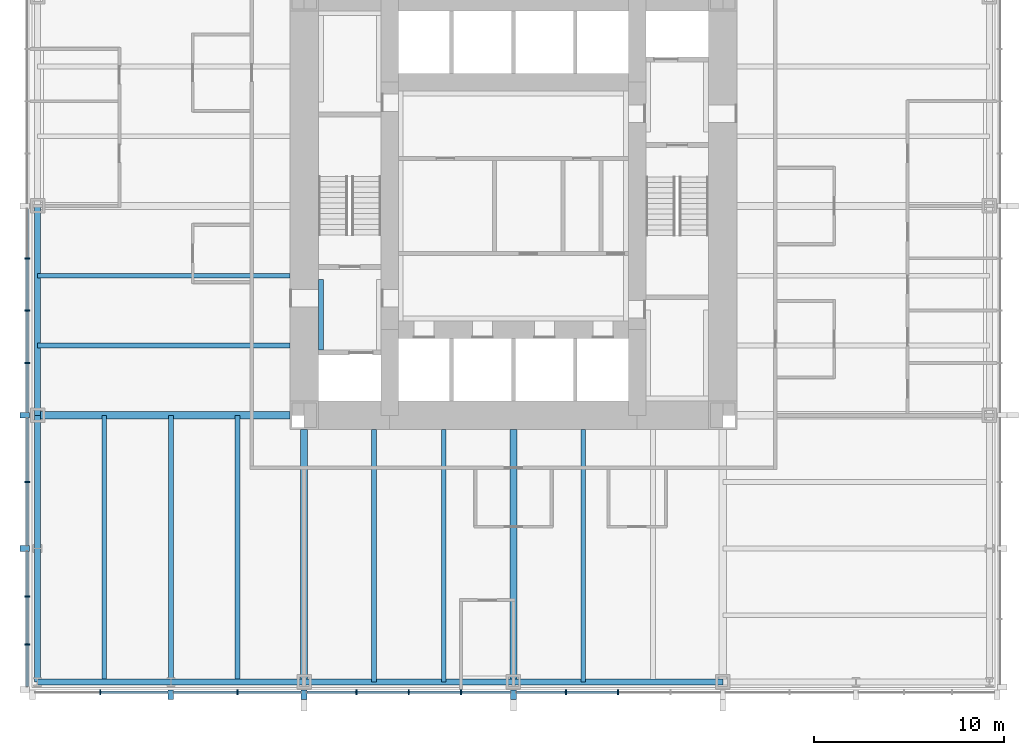
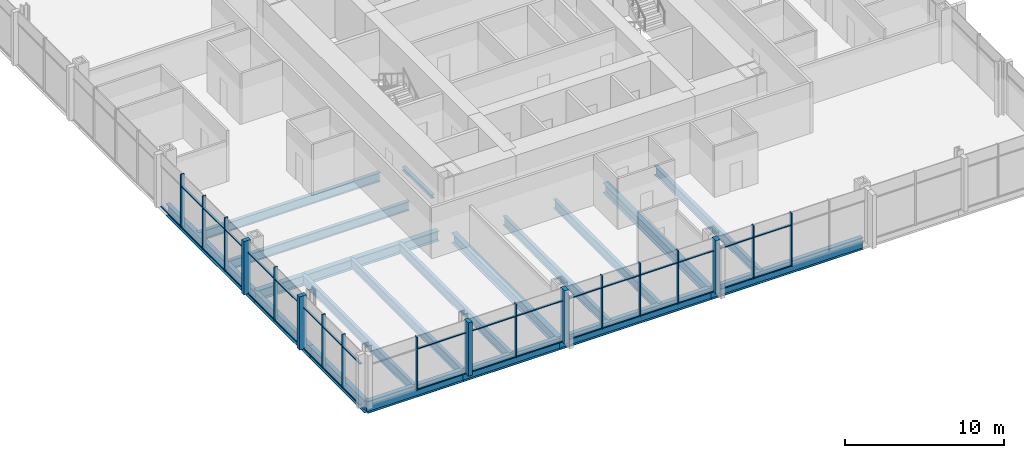
# One storey, part 2 of 12: 53 members, 19 beams, 2 elements without a shape of their own.
"""IFC4 building model written with IfcOpenShell, lengths in metres."""

from ifc_helpers import new_model, si_unit, direction, frame, origin, origin_2d, place, context, subcontext, project, spatial, rectangle, i_section, extrude, material, material_profile, profile_set, type_object, element, aggregate, save


model = new_model("IFC4")

# Units and contexts
model_context = context("Model", 3, precision=1e-05, world=origin(), true_north=direction((0.0, 1.0)))
body_context = subcontext(model_context, "Body", "Model", "MODEL_VIEW")
ifc_project = project(units=[si_unit("LENGTHUNIT", "METRE"), si_unit("AREAUNIT", "SQUARE_METRE"), si_unit("VOLUMEUNIT", "CUBIC_METRE"), si_unit("PLANEANGLEUNIT", "RADIAN"), si_unit("MASSUNIT", "GRAM", prefix="KILO")], contexts=[model_context])

# Site, building, storey
site_placement = place(None, origin())
site = spatial("IfcSite", under=ifc_project, at=site_placement, CompositionType="ELEMENT")
building_placement = place(site_placement, origin())
building = spatial("IfcBuilding", under=site, at=building_placement, Name="Trevanion Tower", CompositionType="ELEMENT")
storey_placement = place(building_placement, frame((0.0, 0.0, 32.39990234375)))
storey = spatial("IfcBuildingStorey", under=building, at=storey_placement, Name="L07", CompositionType="ELEMENT", Elevation=32.39990234375)

# Beams
ifc_material_1 = material(Name="Steel ASTM A992 Grade 50", Category="steel")
ifc_material_profile_1 = material_profile(ifc_material_1, i_section(OverallWidth=0.25390625, OverallDepth=0.700927734375, WebThickness=0.015380859375, FlangeThickness=0.02783203125, at=origin_2d()), Name="W27X129")
ifc_profile_set_1 = profile_set([ifc_material_profile_1], Name="Steel ASTM A992 Grade 50")
beam_type_1 = type_object("IfcBeamType", Name="B3 W27X129", PredefinedType="BEAM", material=ifc_profile_set_1)
for number, where, z_axis, x_axis, name in (
    (1, (-11.75, -3.666748046875, -0.540283203125), (-1.0, 0.0, 0.0), (0.0, -1.0, 0.0), "B3 L07"),
    (2, (-11.75, -7.333251953125, -0.540283203125), (-1.0, 0.0, 0.0), (0.0, -1.0, 0.0), "B3 L07"),
    (3, (-7.333251953125, -11.75, -0.540283203125), (0.0, -1.0, 0.0), (1.0, 0.0, 0.0), "B3 L07"),
    (4, (-3.666748046875, -11.75, -0.540283203125), (0.0, -1.0, 0.0), (1.0, 0.0, 0.0), "B3 L07"),
    (5, (3.666748046875, -11.75, -0.540283203125), (0.0, -1.0, 0.0), (1.0, 0.0, 0.0), "B3 L07"),
):
    element("IfcBeam", number, at=place(storey_placement, frame(where, z_axis=z_axis, x_axis=x_axis)), inside=storey, type_object=beam_type_1, Name=name, PredefinedType="BEAM", context=body_context, shape_type="SweptSolid", body=[
        extrude(i_section(OverallWidth=0.25390625, OverallDepth=0.700927734375, WebThickness=0.015380859375, FlangeThickness=0.02783203125, at=origin_2d()), origin(), (0.0, 0.0, 1.0), 13.25),
    ])
ifc_material_2 = material(Name="Steel ASTM A992 Grade 50", Category="steel")
ifc_material_profile_2 = material_profile(ifc_material_2, i_section(OverallWidth=0.256591796875, OverallDepth=0.693359375, WebThickness=0.014404296875, FlangeThickness=0.023681640625, at=origin_2d()), Name="W27X114")
ifc_profile_set_2 = profile_set([ifc_material_profile_2], Name="Steel ASTM A992 Grade 50")
beam_type_2 = type_object("IfcBeamType", Name="B4 W27X114", PredefinedType="BEAM", material=ifc_profile_set_2)
for number, where, z_axis, x_axis, name in (
    (6, (-14.5, -11.0, -0.53662109375), (0.0, -1.0, 0.0), (1.0, 0.0, 0.0), "B4 L07"),
    (7, (-18.0, -11.0, -0.53662109375), (0.0, -1.0, 0.0), (1.0, 0.0, 0.0), "B4 L07"),
    (8, (-21.5, -11.0, -0.53662109375), (0.0, -1.0, 0.0), (1.0, 0.0, 0.0), "B4 L07"),
):
    element("IfcBeam", number, at=place(storey_placement, frame(where, z_axis=z_axis, x_axis=x_axis)), inside=storey, type_object=beam_type_2, Name=name, PredefinedType="BEAM", context=body_context, shape_type="SweptSolid", body=[
        extrude(i_section(OverallWidth=0.256591796875, OverallDepth=0.693359375, WebThickness=0.014404296875, FlangeThickness=0.023681640625, at=origin_2d()), origin(), (0.0, 0.0, 1.0), 14.0),
    ])

# Curtain wall, members
ifc_material_3 = material(Name="Aluminium and glass", Category="aluminium")
curtain_wall_type = type_object("IfcCurtainWallType", Name="CW1 curtain wall", PredefinedType="USERDEFINED", material=ifc_material_3)
curtain_wall_1_placement = place(storey_placement, origin())
curtain_wall_1 = element("IfcCurtainWall", 9, at=curtain_wall_1_placement, inside=storey, type_object=curtain_wall_type, Name="CW1 L07 2", ObjectType="UNITISED CURTAIN WALL", PredefinedType="USERDEFINED")
ifc_material_4 = material(Name="Aluminium extrusion, anodised bronze", Category="aluminium")
ifc_material_profile_3 = material_profile(ifc_material_4, rectangle(XDim=0.074951171875, YDim=0.25, at=origin_2d()), Name="CW1 mullion")
ifc_profile_set_3 = profile_set([ifc_material_profile_3], Name="Aluminium extrusion, anodised bronze")
member_type_1 = type_object("IfcMemberType", Name="CW1 mullion", PredefinedType="MULLION", material=ifc_profile_set_3)
member_1_placement = place(storey_placement, frame((-25.550048828125, -2.75, -0.18994140625), z_axis=(0.0, 0.0, 1.0), x_axis=(0.0, -1.0, 0.0)))
member_1 = element("IfcMember", 10, at=member_1_placement, type_object=member_type_1, Name="CW1 mullion 10", PredefinedType="MULLION", context=body_context, shape_type="SweptSolid", body=[
    extrude(rectangle(XDim=0.074951171875, YDim=0.25, at=origin_2d()), origin(), (0.0, 0.0, 1.0), 4.10009765625),
])
member_2_placement = place(storey_placement, frame((-25.550048828125, -5.5, -0.18994140625), z_axis=(0.0, 0.0, 1.0), x_axis=(0.0, -1.0, 0.0)))
member_2 = element("IfcMember", 11, at=member_2_placement, type_object=member_type_1, Name="CW1 mullion 11", PredefinedType="MULLION", context=body_context, shape_type="SweptSolid", body=[
    extrude(rectangle(XDim=0.074951171875, YDim=0.25, at=origin_2d()), origin(), (0.0, 0.0, 1.0), 4.10009765625),
])
member_3_placement = place(storey_placement, frame((-25.550048828125, -8.25, -0.18994140625), z_axis=(0.0, 0.0, 1.0), x_axis=(0.0, -1.0, 0.0)))
member_3 = element("IfcMember", 12, at=member_3_placement, type_object=member_type_1, Name="CW1 mullion 12", PredefinedType="MULLION", context=body_context, shape_type="SweptSolid", body=[
    extrude(rectangle(XDim=0.074951171875, YDim=0.25, at=origin_2d()), origin(), (0.0, 0.0, 1.0), 4.10009765625),
])
member_4_placement = place(storey_placement, frame((-25.550048828125, -14.5, -0.18994140625), z_axis=(0.0, 0.0, 1.0), x_axis=(0.0, -1.0, 0.0)))
member_4 = element("IfcMember", 13, at=member_4_placement, type_object=member_type_1, Name="CW1 mullion 14", PredefinedType="MULLION", context=body_context, shape_type="SweptSolid", body=[
    extrude(rectangle(XDim=0.074951171875, YDim=0.25, at=origin_2d()), origin(), (0.0, 0.0, 1.0), 4.10009765625),
])
member_5_placement = place(storey_placement, frame((-25.550048828125, -20.5166015625, -0.18994140625), z_axis=(0.0, 0.0, 1.0), x_axis=(0.0, -1.0, 0.0)))
member_5 = element("IfcMember", 14, at=member_5_placement, type_object=member_type_1, Name="CW1 mullion 16", PredefinedType="MULLION", context=body_context, shape_type="SweptSolid", body=[
    extrude(rectangle(XDim=0.074951171875, YDim=0.25, at=origin_2d()), origin(), (0.0, 0.0, 1.0), 4.10009765625),
])
member_6_placement = place(storey_placement, frame((-25.550048828125, -23.033203125, -0.18994140625), z_axis=(0.0, 0.0, 1.0), x_axis=(0.0, -1.0, 0.0)))
member_6 = element("IfcMember", 15, at=member_6_placement, type_object=member_type_1, Name="CW1 mullion 17", PredefinedType="MULLION", context=body_context, shape_type="SweptSolid", body=[
    extrude(rectangle(XDim=0.074951171875, YDim=0.25, at=origin_2d()), origin(), (0.0, 0.0, 1.0), 4.10009765625),
])

curtain_wall_2_placement = place(storey_placement, origin())
curtain_wall_2 = element("IfcCurtainWall", 16, at=curtain_wall_2_placement, inside=storey, type_object=curtain_wall_type, Name="CW1 L07 3", ObjectType="UNITISED CURTAIN WALL", PredefinedType="USERDEFINED")
member_7_placement = place(storey_placement, frame((-21.7099609375, -25.550048828125, -0.18994140625), z_axis=(0.0, 0.0, 1.0), x_axis=(1.0, 0.0, 0.0)))
member_7 = element("IfcMember", 17, at=member_7_placement, type_object=member_type_1, Name="CW1 mullion 2", PredefinedType="MULLION", context=body_context, shape_type="SweptSolid", body=[
    extrude(rectangle(XDim=0.074951171875, YDim=0.25, at=origin_2d()), origin(), (0.0, 0.0, 1.0), 4.10009765625),
])
member_8_placement = place(storey_placement, frame((-14.5, -25.550048828125, -0.18994140625), z_axis=(0.0, 0.0, 1.0), x_axis=(1.0, 0.0, 0.0)))
member_8 = element("IfcMember", 18, at=member_8_placement, type_object=member_type_1, Name="CW1 mullion 4", PredefinedType="MULLION", context=body_context, shape_type="SweptSolid", body=[
    extrude(rectangle(XDim=0.074951171875, YDim=0.25, at=origin_2d()), origin(), (0.0, 0.0, 1.0), 4.10009765625),
])
member_9_placement = place(storey_placement, frame((-8.25, -25.550048828125, -0.18994140625), z_axis=(0.0, 0.0, 1.0), x_axis=(1.0, 0.0, 0.0)))
member_9 = element("IfcMember", 19, at=member_9_placement, type_object=member_type_1, Name="CW1 mullion 6", PredefinedType="MULLION", context=body_context, shape_type="SweptSolid", body=[
    extrude(rectangle(XDim=0.074951171875, YDim=0.25, at=origin_2d()), origin(), (0.0, 0.0, 1.0), 4.10009765625),
])
member_10_placement = place(storey_placement, frame((-5.5, -25.550048828125, -0.18994140625), z_axis=(0.0, 0.0, 1.0), x_axis=(1.0, 0.0, 0.0)))
member_10 = element("IfcMember", 20, at=member_10_placement, type_object=member_type_1, Name="CW1 mullion 7", PredefinedType="MULLION", context=body_context, shape_type="SweptSolid", body=[
    extrude(rectangle(XDim=0.074951171875, YDim=0.25, at=origin_2d()), origin(), (0.0, 0.0, 1.0), 4.10009765625),
])
member_11_placement = place(storey_placement, frame((-2.75, -25.550048828125, -0.18994140625), z_axis=(0.0, 0.0, 1.0), x_axis=(1.0, 0.0, 0.0)))
member_11 = element("IfcMember", 21, at=member_11_placement, type_object=member_type_1, Name="CW1 mullion 8", PredefinedType="MULLION", context=body_context, shape_type="SweptSolid", body=[
    extrude(rectangle(XDim=0.074951171875, YDim=0.25, at=origin_2d()), origin(), (0.0, 0.0, 1.0), 4.10009765625),
])
member_12_placement = place(storey_placement, frame((2.75, -25.550048828125, -0.18994140625), z_axis=(0.0, 0.0, 1.0), x_axis=(1.0, 0.0, 0.0)))
member_12 = element("IfcMember", 22, at=member_12_placement, type_object=member_type_1, Name="CW1 mullion 10", PredefinedType="MULLION", context=body_context, shape_type="SweptSolid", body=[
    extrude(rectangle(XDim=0.074951171875, YDim=0.25, at=origin_2d()), origin(), (0.0, 0.0, 1.0), 4.10009765625),
])
member_13_placement = place(storey_placement, frame((5.5, -25.550048828125, -0.18994140625), z_axis=(0.0, 0.0, 1.0), x_axis=(1.0, 0.0, 0.0)))
member_13 = element("IfcMember", 23, at=member_13_placement, type_object=member_type_1, Name="CW1 mullion 11", PredefinedType="MULLION", context=body_context, shape_type="SweptSolid", body=[
    extrude(rectangle(XDim=0.074951171875, YDim=0.25, at=origin_2d()), origin(), (0.0, 0.0, 1.0), 4.10009765625),
])

# Member
ifc_material_5 = material(Name="Aluminium extrusion, anodised bronze", Category="aluminium")
ifc_material_profile_4 = material_profile(ifc_material_5, rectangle(XDim=0.300048828125, YDim=0.5, at=origin_2d()), Name="CW1 pier mullion")
ifc_profile_set_4 = profile_set([ifc_material_profile_4], Name="Aluminium extrusion, anodised bronze")
member_type_2 = type_object("IfcMemberType", Name="CW1 pier mullion", PredefinedType="MULLION", material=ifc_profile_set_4)
member_14_placement = place(storey_placement, frame((-25.675048828125, -11.0, -0.18994140625), z_axis=(0.0, 0.0, 1.0), x_axis=(0.0, -1.0, 0.0)))
member_14 = element("IfcMember", 24, at=member_14_placement, type_object=member_type_2, Name="CW1 pier mullion 13", PredefinedType="MULLION", context=body_context, shape_type="SweptSolid", body=[
    extrude(rectangle(XDim=0.300048828125, YDim=0.5, at=origin_2d()), origin(), (0.0, 0.0, 1.0), 4.10009765625),
])

member_15_placement = place(storey_placement, frame((-25.675048828125, -18.0, -0.18994140625), z_axis=(0.0, 0.0, 1.0), x_axis=(0.0, -1.0, 0.0)))
member_15 = element("IfcMember", 25, at=member_15_placement, type_object=member_type_2, Name="CW1 pier mullion 15", PredefinedType="MULLION", context=body_context, shape_type="SweptSolid", body=[
    extrude(rectangle(XDim=0.300048828125, YDim=0.5, at=origin_2d()), origin(), (0.0, 0.0, 1.0), 4.10009765625),
])

member_16_placement = place(storey_placement, frame((-18.0, -25.675048828125, -0.18994140625), z_axis=(0.0, 0.0, 1.0), x_axis=(1.0, 0.0, 0.0)))
member_16 = element("IfcMember", 26, at=member_16_placement, type_object=member_type_2, Name="CW1 pier mullion 3", PredefinedType="MULLION", context=body_context, shape_type="SweptSolid", body=[
    extrude(rectangle(XDim=0.300048828125, YDim=0.5, at=origin_2d()), origin(), (0.0, 0.0, 1.0), 4.10009765625),
])

member_17_placement = place(storey_placement, frame((-11.0, -25.675048828125, -0.18994140625), z_axis=(0.0, 0.0, 1.0), x_axis=(1.0, 0.0, 0.0)))
member_17 = element("IfcMember", 27, at=member_17_placement, type_object=member_type_2, Name="CW1 pier mullion 5", PredefinedType="MULLION", context=body_context, shape_type="SweptSolid", body=[
    extrude(rectangle(XDim=0.300048828125, YDim=0.5, at=origin_2d()), origin(), (0.0, 0.0, 1.0), 4.10009765625),
])

member_18_placement = place(storey_placement, frame((0.0, -25.675048828125, -0.18994140625), z_axis=(0.0, 0.0, 1.0), x_axis=(1.0, 0.0, 0.0)))
member_18 = element("IfcMember", 28, at=member_18_placement, type_object=member_type_2, Name="CW1 pier mullion 9", PredefinedType="MULLION", context=body_context, shape_type="SweptSolid", body=[
    extrude(rectangle(XDim=0.300048828125, YDim=0.5, at=origin_2d()), origin(), (0.0, 0.0, 1.0), 4.10009765625),
])

ifc_material_6 = material(Name="Aluminium extrusion, anodised bronze", Category="aluminium")
ifc_material_profile_5 = material_profile(ifc_material_6, rectangle(XDim=0.14990234375, YDim=0.074951171875, at=origin_2d()), Name="CW1 transom")
ifc_profile_set_5 = profile_set([ifc_material_profile_5], Name="Aluminium extrusion, anodised bronze")
member_type_3 = type_object("IfcMemberType", Name="CW1 transom", PredefinedType="USERDEFINED", material=ifc_profile_set_5)
member_19_placement = place(storey_placement, frame((-25.550048828125, -0.14990234375, -0.15234375), z_axis=(0.0, -1.0, 0.0), x_axis=(1.0, 0.0, 0.0)))
member_19 = element("IfcMember", 29, at=member_19_placement, type_object=member_type_3, Name="CW1 transom 9.1", ObjectType="TRANSOM", PredefinedType="USERDEFINED", context=body_context, shape_type="SweptSolid", body=[
    extrude(rectangle(XDim=0.14990234375, YDim=0.074951171875, at=origin_2d()), origin(), (0.0, 0.0, 1.0), 2.5625),
])

member_20_placement = place(storey_placement, frame((-25.550048828125, -2.78759765625, -0.15234375), z_axis=(0.0, -1.0, 0.0), x_axis=(1.0, 0.0, 0.0)))
member_20 = element("IfcMember", 30, at=member_20_placement, type_object=member_type_3, Name="CW1 transom 10.1", ObjectType="TRANSOM", PredefinedType="USERDEFINED", context=body_context, shape_type="SweptSolid", body=[
    extrude(rectangle(XDim=0.14990234375, YDim=0.074951171875, at=origin_2d()), origin(), (0.0, 0.0, 1.0), 2.6748046875),
])

member_21_placement = place(storey_placement, frame((-25.550048828125, -2.78759765625, 2.960205078125), z_axis=(0.0, -1.0, 0.0), x_axis=(1.0, 0.0, 0.0)))
member_21 = element("IfcMember", 31, at=member_21_placement, type_object=member_type_3, Name="CW1 transom 10.2", ObjectType="TRANSOM", PredefinedType="USERDEFINED", context=body_context, shape_type="SweptSolid", body=[
    extrude(rectangle(XDim=0.14990234375, YDim=0.074951171875, at=origin_2d()), origin(), (0.0, 0.0, 1.0), 2.6748046875),
])

member_22_placement = place(storey_placement, frame((-25.550048828125, -5.53759765625, -0.15234375), z_axis=(0.0, -1.0, 0.0), x_axis=(1.0, 0.0, 0.0)))
member_22 = element("IfcMember", 32, at=member_22_placement, type_object=member_type_3, Name="CW1 transom 11.1", ObjectType="TRANSOM", PredefinedType="USERDEFINED", context=body_context, shape_type="SweptSolid", body=[
    extrude(rectangle(XDim=0.14990234375, YDim=0.074951171875, at=origin_2d()), origin(), (0.0, 0.0, 1.0), 2.6748046875),
])

member_23_placement = place(storey_placement, frame((-25.550048828125, -5.53759765625, 2.960205078125), z_axis=(0.0, -1.0, 0.0), x_axis=(1.0, 0.0, 0.0)))
member_23 = element("IfcMember", 33, at=member_23_placement, type_object=member_type_3, Name="CW1 transom 11.2", ObjectType="TRANSOM", PredefinedType="USERDEFINED", context=body_context, shape_type="SweptSolid", body=[
    extrude(rectangle(XDim=0.14990234375, YDim=0.074951171875, at=origin_2d()), origin(), (0.0, 0.0, 1.0), 2.6748046875),
])

member_24_placement = place(storey_placement, frame((-25.550048828125, -8.28759765625, -0.15234375), z_axis=(0.0, -1.0, 0.0), x_axis=(1.0, 0.0, 0.0)))
member_24 = element("IfcMember", 34, at=member_24_placement, type_object=member_type_3, Name="CW1 transom 12.1", ObjectType="TRANSOM", PredefinedType="USERDEFINED", context=body_context, shape_type="SweptSolid", body=[
    extrude(rectangle(XDim=0.14990234375, YDim=0.074951171875, at=origin_2d()), origin(), (0.0, 0.0, 1.0), 2.5625),
])

member_25_placement = place(storey_placement, frame((-25.550048828125, -8.28759765625, 2.960205078125), z_axis=(0.0, -1.0, 0.0), x_axis=(1.0, 0.0, 0.0)))
member_25 = element("IfcMember", 35, at=member_25_placement, type_object=member_type_3, Name="CW1 transom 12.2", ObjectType="TRANSOM", PredefinedType="USERDEFINED", context=body_context, shape_type="SweptSolid", body=[
    extrude(rectangle(XDim=0.14990234375, YDim=0.074951171875, at=origin_2d()), origin(), (0.0, 0.0, 1.0), 2.5625),
])

member_26_placement = place(storey_placement, frame((-25.550048828125, -11.14990234375, -0.15234375), z_axis=(0.0, -1.0, 0.0), x_axis=(1.0, 0.0, 0.0)))
member_26 = element("IfcMember", 36, at=member_26_placement, type_object=member_type_3, Name="CW1 transom 13.1", ObjectType="TRANSOM", PredefinedType="USERDEFINED", context=body_context, shape_type="SweptSolid", body=[
    extrude(rectangle(XDim=0.14990234375, YDim=0.074951171875, at=origin_2d()), origin(), (0.0, 0.0, 1.0), 3.3125),
])

member_27_placement = place(storey_placement, frame((-25.550048828125, -11.14990234375, 2.960205078125), z_axis=(0.0, -1.0, 0.0), x_axis=(1.0, 0.0, 0.0)))
member_27 = element("IfcMember", 37, at=member_27_placement, type_object=member_type_3, Name="CW1 transom 13.2", ObjectType="TRANSOM", PredefinedType="USERDEFINED", context=body_context, shape_type="SweptSolid", body=[
    extrude(rectangle(XDim=0.14990234375, YDim=0.074951171875, at=origin_2d()), origin(), (0.0, 0.0, 1.0), 3.3125),
])

member_28_placement = place(storey_placement, frame((-25.550048828125, -14.53759765625, -0.15234375), z_axis=(0.0, -1.0, 0.0), x_axis=(1.0, 0.0, 0.0)))
member_28 = element("IfcMember", 38, at=member_28_placement, type_object=member_type_3, Name="CW1 transom 14.1", ObjectType="TRANSOM", PredefinedType="USERDEFINED", context=body_context, shape_type="SweptSolid", body=[
    extrude(rectangle(XDim=0.14990234375, YDim=0.074951171875, at=origin_2d()), origin(), (0.0, 0.0, 1.0), 3.3125),
])

member_29_placement = place(storey_placement, frame((-25.550048828125, -14.53759765625, 2.960205078125), z_axis=(0.0, -1.0, 0.0), x_axis=(1.0, 0.0, 0.0)))
member_29 = element("IfcMember", 39, at=member_29_placement, type_object=member_type_3, Name="CW1 transom 14.2", ObjectType="TRANSOM", PredefinedType="USERDEFINED", context=body_context, shape_type="SweptSolid", body=[
    extrude(rectangle(XDim=0.14990234375, YDim=0.074951171875, at=origin_2d()), origin(), (0.0, 0.0, 1.0), 3.3125),
])

member_30_placement = place(storey_placement, frame((-25.550048828125, -18.14990234375, -0.15234375), z_axis=(0.0, -1.0, 0.0), x_axis=(1.0, 0.0, 0.0)))
member_30 = element("IfcMember", 40, at=member_30_placement, type_object=member_type_3, Name="CW1 transom 15.1", ObjectType="TRANSOM", PredefinedType="USERDEFINED", context=body_context, shape_type="SweptSolid", body=[
    extrude(rectangle(XDim=0.14990234375, YDim=0.074951171875, at=origin_2d()), origin(), (0.0, 0.0, 1.0), 2.329345703125),
])

member_31_placement = place(storey_placement, frame((-25.550048828125, -18.14990234375, 2.960205078125), z_axis=(0.0, -1.0, 0.0), x_axis=(1.0, 0.0, 0.0)))
member_31 = element("IfcMember", 41, at=member_31_placement, type_object=member_type_3, Name="CW1 transom 15.2", ObjectType="TRANSOM", PredefinedType="USERDEFINED", context=body_context, shape_type="SweptSolid", body=[
    extrude(rectangle(XDim=0.14990234375, YDim=0.074951171875, at=origin_2d()), origin(), (0.0, 0.0, 1.0), 2.329345703125),
])

member_32_placement = place(storey_placement, frame((-25.550048828125, -20.55419921875, -0.15234375), z_axis=(0.0, -1.0, 0.0), x_axis=(1.0, 0.0, 0.0)))
member_32 = element("IfcMember", 42, at=member_32_placement, type_object=member_type_3, Name="CW1 transom 16.1", ObjectType="TRANSOM", PredefinedType="USERDEFINED", context=body_context, shape_type="SweptSolid", body=[
    extrude(rectangle(XDim=0.14990234375, YDim=0.074951171875, at=origin_2d()), origin(), (0.0, 0.0, 1.0), 2.441650390625),
])

member_33_placement = place(storey_placement, frame((-25.550048828125, -20.55419921875, 2.960205078125), z_axis=(0.0, -1.0, 0.0), x_axis=(1.0, 0.0, 0.0)))
member_33 = element("IfcMember", 43, at=member_33_placement, type_object=member_type_3, Name="CW1 transom 16.2", ObjectType="TRANSOM", PredefinedType="USERDEFINED", context=body_context, shape_type="SweptSolid", body=[
    extrude(rectangle(XDim=0.14990234375, YDim=0.074951171875, at=origin_2d()), origin(), (0.0, 0.0, 1.0), 2.441650390625),
])

member_34_placement = place(storey_placement, frame((-25.550048828125, -23.07080078125, -0.15234375), z_axis=(0.0, -1.0, 0.0), x_axis=(1.0, 0.0, 0.0)))
member_34 = element("IfcMember", 44, at=member_34_placement, type_object=member_type_3, Name="CW1 transom 17.1", ObjectType="TRANSOM", PredefinedType="USERDEFINED", context=body_context, shape_type="SweptSolid", body=[
    extrude(rectangle(XDim=0.14990234375, YDim=0.074951171875, at=origin_2d()), origin(), (0.0, 0.0, 1.0), 2.17919921875),
])

member_35_placement = place(storey_placement, frame((-25.550048828125, -23.07080078125, 2.960205078125), z_axis=(0.0, -1.0, 0.0), x_axis=(1.0, 0.0, 0.0)))
member_35 = element("IfcMember", 45, at=member_35_placement, type_object=member_type_3, Name="CW1 transom 17.2", ObjectType="TRANSOM", PredefinedType="USERDEFINED", context=body_context, shape_type="SweptSolid", body=[
    extrude(rectangle(XDim=0.14990234375, YDim=0.074951171875, at=origin_2d()), origin(), (0.0, 0.0, 1.0), 2.17919921875),
])

aggregate(curtain_wall_1, [member_1, member_2, member_3, member_14, member_4, member_15, member_5, member_6, member_19, member_20, member_21, member_22, member_23, member_24, member_25, member_26, member_27, member_28, member_29, member_30, member_31, member_32, member_33, member_34, member_35])

member_36_placement = place(storey_placement, frame((-21.672607421875, -25.550048828125, -0.15234375), z_axis=(1.0, 0.0, 0.0), x_axis=(0.0, 1.0, 0.0)))
member_36 = element("IfcMember", 46, at=member_36_placement, type_object=member_type_3, Name="CW1 transom 2.1", ObjectType="TRANSOM", PredefinedType="USERDEFINED", context=body_context, shape_type="SweptSolid", body=[
    extrude(rectangle(XDim=0.14990234375, YDim=0.074951171875, at=origin_2d()), origin(), (0.0, 0.0, 1.0), 3.522705078125),
])

member_37_placement = place(storey_placement, frame((-21.672607421875, -25.550048828125, 2.960205078125), z_axis=(1.0, 0.0, 0.0), x_axis=(0.0, 1.0, 0.0)))
member_37 = element("IfcMember", 47, at=member_37_placement, type_object=member_type_3, Name="CW1 transom 2.2", ObjectType="TRANSOM", PredefinedType="USERDEFINED", context=body_context, shape_type="SweptSolid", body=[
    extrude(rectangle(XDim=0.14990234375, YDim=0.074951171875, at=origin_2d()), origin(), (0.0, 0.0, 1.0), 3.522705078125),
])

member_38_placement = place(storey_placement, frame((-17.85009765625, -25.550048828125, -0.15234375), z_axis=(1.0, 0.0, 0.0), x_axis=(0.0, 1.0, 0.0)))
member_38 = element("IfcMember", 48, at=member_38_placement, type_object=member_type_3, Name="CW1 transom 3.1", ObjectType="TRANSOM", PredefinedType="USERDEFINED", context=body_context, shape_type="SweptSolid", body=[
    extrude(rectangle(XDim=0.14990234375, YDim=0.074951171875, at=origin_2d()), origin(), (0.0, 0.0, 1.0), 3.3125),
])

member_39_placement = place(storey_placement, frame((-17.85009765625, -25.550048828125, 2.960205078125), z_axis=(1.0, 0.0, 0.0), x_axis=(0.0, 1.0, 0.0)))
member_39 = element("IfcMember", 49, at=member_39_placement, type_object=member_type_3, Name="CW1 transom 3.2", ObjectType="TRANSOM", PredefinedType="USERDEFINED", context=body_context, shape_type="SweptSolid", body=[
    extrude(rectangle(XDim=0.14990234375, YDim=0.074951171875, at=origin_2d()), origin(), (0.0, 0.0, 1.0), 3.3125),
])

member_40_placement = place(storey_placement, frame((-14.46240234375, -25.550048828125, -0.15234375), z_axis=(1.0, 0.0, 0.0), x_axis=(0.0, 1.0, 0.0)))
member_40 = element("IfcMember", 50, at=member_40_placement, type_object=member_type_3, Name="CW1 transom 4.1", ObjectType="TRANSOM", PredefinedType="USERDEFINED", context=body_context, shape_type="SweptSolid", body=[
    extrude(rectangle(XDim=0.14990234375, YDim=0.074951171875, at=origin_2d()), origin(), (0.0, 0.0, 1.0), 3.3125),
])

member_41_placement = place(storey_placement, frame((-14.46240234375, -25.550048828125, 2.960205078125), z_axis=(1.0, 0.0, 0.0), x_axis=(0.0, 1.0, 0.0)))
member_41 = element("IfcMember", 51, at=member_41_placement, type_object=member_type_3, Name="CW1 transom 4.2", ObjectType="TRANSOM", PredefinedType="USERDEFINED", context=body_context, shape_type="SweptSolid", body=[
    extrude(rectangle(XDim=0.14990234375, YDim=0.074951171875, at=origin_2d()), origin(), (0.0, 0.0, 1.0), 3.3125),
])

member_42_placement = place(storey_placement, frame((-10.85009765625, -25.550048828125, -0.15234375), z_axis=(1.0, 0.0, 0.0), x_axis=(0.0, 1.0, 0.0)))
member_42 = element("IfcMember", 52, at=member_42_placement, type_object=member_type_3, Name="CW1 transom 5.1", ObjectType="TRANSOM", PredefinedType="USERDEFINED", context=body_context, shape_type="SweptSolid", body=[
    extrude(rectangle(XDim=0.14990234375, YDim=0.074951171875, at=origin_2d()), origin(), (0.0, 0.0, 1.0), 2.5625),
])

member_43_placement = place(storey_placement, frame((-10.85009765625, -25.550048828125, 2.960205078125), z_axis=(1.0, 0.0, 0.0), x_axis=(0.0, 1.0, 0.0)))
member_43 = element("IfcMember", 53, at=member_43_placement, type_object=member_type_3, Name="CW1 transom 5.2", ObjectType="TRANSOM", PredefinedType="USERDEFINED", context=body_context, shape_type="SweptSolid", body=[
    extrude(rectangle(XDim=0.14990234375, YDim=0.074951171875, at=origin_2d()), origin(), (0.0, 0.0, 1.0), 2.5625),
])

member_44_placement = place(storey_placement, frame((-8.21240234375, -25.550048828125, -0.15234375), z_axis=(1.0, 0.0, 0.0), x_axis=(0.0, 1.0, 0.0)))
member_44 = element("IfcMember", 54, at=member_44_placement, type_object=member_type_3, Name="CW1 transom 6.1", ObjectType="TRANSOM", PredefinedType="USERDEFINED", context=body_context, shape_type="SweptSolid", body=[
    extrude(rectangle(XDim=0.14990234375, YDim=0.074951171875, at=origin_2d()), origin(), (0.0, 0.0, 1.0), 2.6748046875),
])

member_45_placement = place(storey_placement, frame((-8.21240234375, -25.550048828125, 2.960205078125), z_axis=(1.0, 0.0, 0.0), x_axis=(0.0, 1.0, 0.0)))
member_45 = element("IfcMember", 55, at=member_45_placement, type_object=member_type_3, Name="CW1 transom 6.2", ObjectType="TRANSOM", PredefinedType="USERDEFINED", context=body_context, shape_type="SweptSolid", body=[
    extrude(rectangle(XDim=0.14990234375, YDim=0.074951171875, at=origin_2d()), origin(), (0.0, 0.0, 1.0), 2.6748046875),
])

member_46_placement = place(storey_placement, frame((-5.46240234375, -25.550048828125, -0.15234375), z_axis=(1.0, 0.0, 0.0), x_axis=(0.0, 1.0, 0.0)))
member_46 = element("IfcMember", 56, at=member_46_placement, type_object=member_type_3, Name="CW1 transom 7.1", ObjectType="TRANSOM", PredefinedType="USERDEFINED", context=body_context, shape_type="SweptSolid", body=[
    extrude(rectangle(XDim=0.14990234375, YDim=0.074951171875, at=origin_2d()), origin(), (0.0, 0.0, 1.0), 2.6748046875),
])

member_47_placement = place(storey_placement, frame((-5.46240234375, -25.550048828125, 2.960205078125), z_axis=(1.0, 0.0, 0.0), x_axis=(0.0, 1.0, 0.0)))
member_47 = element("IfcMember", 57, at=member_47_placement, type_object=member_type_3, Name="CW1 transom 7.2", ObjectType="TRANSOM", PredefinedType="USERDEFINED", context=body_context, shape_type="SweptSolid", body=[
    extrude(rectangle(XDim=0.14990234375, YDim=0.074951171875, at=origin_2d()), origin(), (0.0, 0.0, 1.0), 2.6748046875),
])

member_48_placement = place(storey_placement, frame((-2.71240234375, -25.550048828125, -0.15234375), z_axis=(1.0, 0.0, 0.0), x_axis=(0.0, 1.0, 0.0)))
member_48 = element("IfcMember", 58, at=member_48_placement, type_object=member_type_3, Name="CW1 transom 8.1", ObjectType="TRANSOM", PredefinedType="USERDEFINED", context=body_context, shape_type="SweptSolid", body=[
    extrude(rectangle(XDim=0.14990234375, YDim=0.074951171875, at=origin_2d()), origin(), (0.0, 0.0, 1.0), 2.5625),
])

member_49_placement = place(storey_placement, frame((-2.71240234375, -25.550048828125, 2.960205078125), z_axis=(1.0, 0.0, 0.0), x_axis=(0.0, 1.0, 0.0)))
member_49 = element("IfcMember", 59, at=member_49_placement, type_object=member_type_3, Name="CW1 transom 8.2", ObjectType="TRANSOM", PredefinedType="USERDEFINED", context=body_context, shape_type="SweptSolid", body=[
    extrude(rectangle(XDim=0.14990234375, YDim=0.074951171875, at=origin_2d()), origin(), (0.0, 0.0, 1.0), 2.5625),
])

member_50_placement = place(storey_placement, frame((0.14990234375, -25.550048828125, -0.15234375), z_axis=(1.0, 0.0, 0.0), x_axis=(0.0, 1.0, 0.0)))
member_50 = element("IfcMember", 60, at=member_50_placement, type_object=member_type_3, Name="CW1 transom 9.1", ObjectType="TRANSOM", PredefinedType="USERDEFINED", context=body_context, shape_type="SweptSolid", body=[
    extrude(rectangle(XDim=0.14990234375, YDim=0.074951171875, at=origin_2d()), origin(), (0.0, 0.0, 1.0), 2.5625),
])

member_51_placement = place(storey_placement, frame((0.14990234375, -25.550048828125, 2.960205078125), z_axis=(1.0, 0.0, 0.0), x_axis=(0.0, 1.0, 0.0)))
member_51 = element("IfcMember", 61, at=member_51_placement, type_object=member_type_3, Name="CW1 transom 9.2", ObjectType="TRANSOM", PredefinedType="USERDEFINED", context=body_context, shape_type="SweptSolid", body=[
    extrude(rectangle(XDim=0.14990234375, YDim=0.074951171875, at=origin_2d()), origin(), (0.0, 0.0, 1.0), 2.5625),
])

member_52_placement = place(storey_placement, frame((2.78759765625, -25.550048828125, -0.15234375), z_axis=(1.0, 0.0, 0.0), x_axis=(0.0, 1.0, 0.0)))
member_52 = element("IfcMember", 62, at=member_52_placement, type_object=member_type_3, Name="CW1 transom 10.1", ObjectType="TRANSOM", PredefinedType="USERDEFINED", context=body_context, shape_type="SweptSolid", body=[
    extrude(rectangle(XDim=0.14990234375, YDim=0.074951171875, at=origin_2d()), origin(), (0.0, 0.0, 1.0), 2.6748046875),
])

member_53_placement = place(storey_placement, frame((2.78759765625, -25.550048828125, 2.960205078125), z_axis=(1.0, 0.0, 0.0), x_axis=(0.0, 1.0, 0.0)))
member_53 = element("IfcMember", 63, at=member_53_placement, type_object=member_type_3, Name="CW1 transom 10.2", ObjectType="TRANSOM", PredefinedType="USERDEFINED", context=body_context, shape_type="SweptSolid", body=[
    extrude(rectangle(XDim=0.14990234375, YDim=0.074951171875, at=origin_2d()), origin(), (0.0, 0.0, 1.0), 2.6748046875),
])

aggregate(curtain_wall_2, [member_7, member_16, member_8, member_17, member_9, member_10, member_11, member_18, member_12, member_13, member_36, member_37, member_38, member_39, member_40, member_41, member_42, member_43, member_44, member_45, member_46, member_47, member_48, member_49, member_50, member_51, member_52, member_53])

# Beams
ifc_material_7 = material(Name="Steel ASTM A992 Grade 50", Category="steel")
ifc_material_profile_6 = material_profile(ifc_material_7, i_section(OverallWidth=0.381103515625, OverallDepth=0.77978515625, WebThickness=0.01806640625, FlangeThickness=0.0302734375, at=origin_2d()), Name="W30X191")
ifc_profile_set_6 = profile_set([ifc_material_profile_6], Name="Steel ASTM A992 Grade 50")
beam_type_3 = type_object("IfcBeamType", Name="G2 W30X191", PredefinedType="BEAM", material=ifc_profile_set_6)
for number, where, z_axis, x_axis, name in (
    (64, (-11.75, -11.0, -0.579833984375), (-1.0, 0.0, 0.0), (0.0, -1.0, 0.0), "G2 L07"),
    (65, (-11.0, -11.75, -0.579833984375), (0.0, -1.0, 0.0), (1.0, 0.0, 0.0), "G2 L07"),
    (66, (0.0, -11.75, -0.579833984375), (0.0, -1.0, 0.0), (1.0, 0.0, 0.0), "G2 L07"),
):
    element("IfcBeam", number, at=place(storey_placement, frame(where, z_axis=z_axis, x_axis=x_axis)), inside=storey, type_object=beam_type_3, Name=name, PredefinedType="BEAM", context=body_context, shape_type="SweptSolid", body=[
        extrude(i_section(OverallWidth=0.381103515625, OverallDepth=0.77978515625, WebThickness=0.01806640625, FlangeThickness=0.0302734375, at=origin_2d()), origin(), (0.0, 0.0, 1.0), 13.25),
    ])
ifc_material_8 = material(Name="Steel ASTM A992 Grade 50", Category="steel")
ifc_material_profile_7 = material_profile(ifc_material_8, i_section(OverallWidth=0.256591796875, OverallDepth=0.26416015625, WebThickness=0.011962890625, FlangeThickness=0.01953125, at=origin_2d()), Name="W10X68")
ifc_profile_set_7 = profile_set([ifc_material_profile_7], Name="Steel ASTM A992 Grade 50")
beam_type_4 = type_object("IfcBeamType", Name="LB1 W10X68", PredefinedType="BEAM", material=ifc_profile_set_7)
beam_1_placement = place(storey_placement, frame((-10.12158203125, -7.574951171875, -0.33203125), z_axis=(0.0, 1.0, 0.0), x_axis=(-1.0, 0.0, 0.0)))
element("IfcBeam", 67, at=beam_1_placement, inside=storey, type_object=beam_type_4, Name="LB1 L07", PredefinedType="BEAM", context=body_context, shape_type="SweptSolid", body=[
    extrude(i_section(OverallWidth=0.256591796875, OverallDepth=0.26416015625, WebThickness=0.011962890625, FlangeThickness=0.01953125, at=origin_2d()), origin(), (0.0, 0.0, 1.0), 3.699951171875),
])
ifc_material_9 = material(Name="Steel ASTM A992 Grade 50", Category="steel")
ifc_material_profile_8 = material_profile(ifc_material_9, i_section(OverallWidth=0.307373046875, OverallDepth=0.927001953125, WebThickness=0.01953125, FlangeThickness=0.031982421875, at=origin_2d()), Name="W36X194")
ifc_profile_set_8 = profile_set([ifc_material_profile_8], Name="Steel ASTM A992 Grade 50")
beam_type_5 = type_object("IfcBeamType", Name="SB2 W36X194", PredefinedType="SPANDREL", material=ifc_profile_set_8)
beam_2_placement = place(storey_placement, frame((-25.0, 0.0, -0.653564453125), z_axis=(0.0, -1.0, 0.0), x_axis=(1.0, 0.0, 0.0)))
element("IfcBeam", 68, at=beam_2_placement, inside=storey, type_object=beam_type_5, Name="SB2 L07", PredefinedType="SPANDREL", context=body_context, shape_type="SweptSolid", body=[
    extrude(i_section(OverallWidth=0.307373046875, OverallDepth=0.927001953125, WebThickness=0.01953125, FlangeThickness=0.031982421875, at=origin_2d()), origin(), (0.0, 0.0, 1.0), 11.0),
])
for number, where, z_axis, x_axis, name in (
    (69, (-25.0, -11.0, -0.653564453125), (0.0, -1.0, 0.0), (1.0, 0.0, 0.0), "SB2 L07"),
    (70, (-25.0, -18.0, -0.653564453125), (0.0, -1.0, 0.0), (1.0, 0.0, 0.0), "SB2 L07"),
    (71, (-25.0, -25.0, -0.653564453125), (1.0, 0.0, 0.0), (0.0, 1.0, 0.0), "SB2 L07"),
    (72, (-18.0, -25.0, -0.653564453125), (1.0, 0.0, 0.0), (0.0, 1.0, 0.0), "SB2 L07"),
):
    element("IfcBeam", number, at=place(storey_placement, frame(where, z_axis=z_axis, x_axis=x_axis)), inside=storey, type_object=beam_type_5, Name=name, PredefinedType="SPANDREL", context=body_context, shape_type="SweptSolid", body=[
        extrude(i_section(OverallWidth=0.307373046875, OverallDepth=0.927001953125, WebThickness=0.01953125, FlangeThickness=0.031982421875, at=origin_2d()), origin(), (0.0, 0.0, 1.0), 7.0),
    ])
for number, where, z_axis, x_axis, name in (
    (73, (-11.0, -25.0, -0.653564453125), (1.0, 0.0, 0.0), (0.0, 1.0, 0.0), "SB2 L07"),
    (74, (0.0, -25.0, -0.653564453125), (1.0, 0.0, 0.0), (0.0, 1.0, 0.0), "SB2 L07"),
):
    element("IfcBeam", number, at=place(storey_placement, frame(where, z_axis=z_axis, x_axis=x_axis)), inside=storey, type_object=beam_type_5, Name=name, PredefinedType="SPANDREL", context=body_context, shape_type="SweptSolid", body=[
        extrude(i_section(OverallWidth=0.307373046875, OverallDepth=0.927001953125, WebThickness=0.01953125, FlangeThickness=0.031982421875, at=origin_2d()), origin(), (0.0, 0.0, 1.0), 11.0),
    ])

save(model, "model.ifc")
